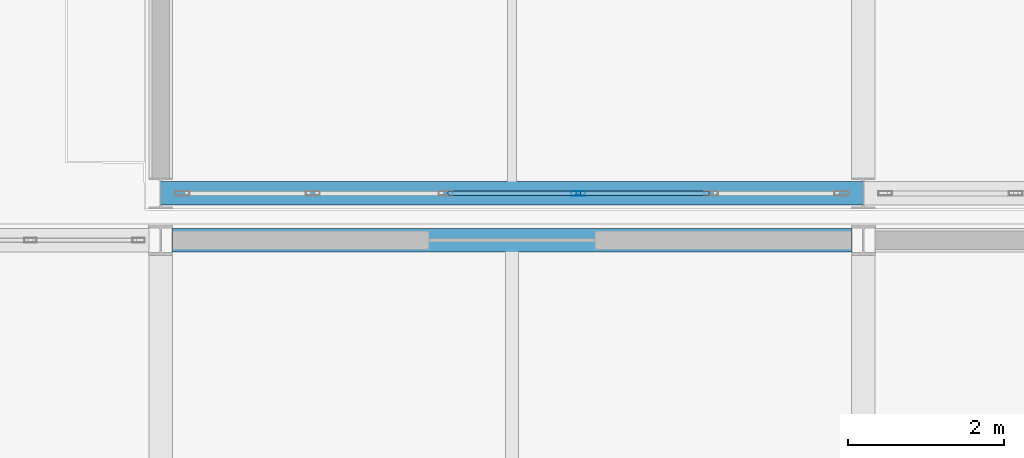
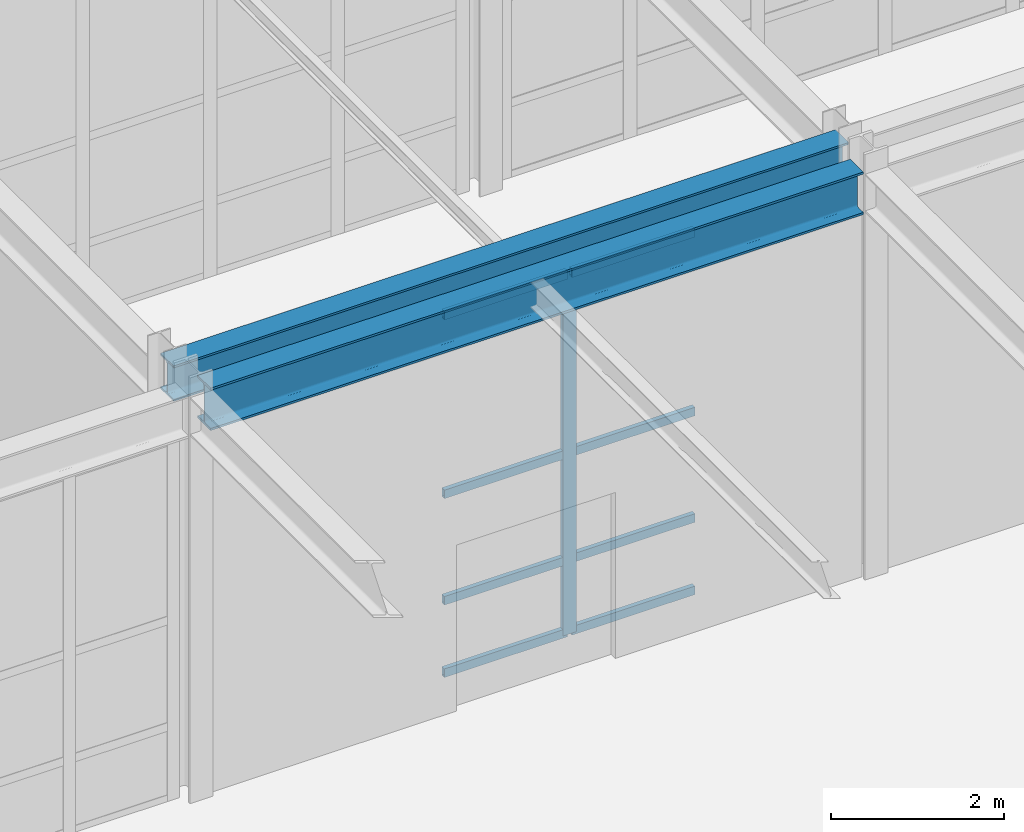
# One storey, part 29 of 146: 9 members, 2 beams, 1 element without a shape of its own.
"""IFC4 building model written with IfcOpenShell, lengths in metres."""

from ifc_helpers import new_model, si_unit, direction, frame, origin, origin_2d, place, context, subcontext, project, spatial, hollow_rectangle, i_section, extrude, material, material_profile, profile_set, type_object, element, aggregate, save


model = new_model("IFC4")

# Units and contexts
model_context = context("Model", 3, precision=1e-05, world=origin(), true_north=direction((0.0, 1.0)))
body_context = subcontext(model_context, "Body", "Model", "MODEL_VIEW")
ifc_project = project(units=[si_unit("LENGTHUNIT", "METRE"), si_unit("AREAUNIT", "SQUARE_METRE"), si_unit("VOLUMEUNIT", "CUBIC_METRE"), si_unit("PLANEANGLEUNIT", "RADIAN"), si_unit("MASSUNIT", "GRAM", prefix="KILO")], contexts=[model_context])

# Site, building, storey
site_placement = place(None, origin())
site = spatial("IfcSite", under=ifc_project, at=site_placement, CompositionType="ELEMENT")
building_placement = place(site_placement, origin())
building = spatial("IfcBuilding", under=site, at=building_placement, Name="Kaldris Quays Convention Centre", CompositionType="ELEMENT")
storey_placement = place(building_placement, origin())
storey = spatial("IfcBuildingStorey", under=building, at=storey_placement, Name="L00", CompositionType="ELEMENT", Elevation=0.0)

# Curtain wall, members
ifc_material_1 = material(Name="Anodized aluminium AW-6060 and triple glazing", Category="aluminium")
curtain_wall_type = type_object("IfcCurtainWallType", Name="UNITISED CURTAIN WALL CW02", PredefinedType="NOTDEFINED", material=ifc_material_1)
curtain_wall_placement = place(storey_placement, origin())
curtain_wall = element("IfcCurtainWall", 1, at=curtain_wall_placement, inside=storey, type_object=curtain_wall_type, Name="L00 Unitised Curtain Wall CW02 78", PredefinedType="NOTDEFINED")
ifc_material_2 = material(Name="Anodized aluminium AW-6060", Category="aluminium")
ifc_material_profile_1 = material_profile(ifc_material_2, hollow_rectangle(XDim=0.06005859375, YDim=0.179931640625, WallThickness=0.0048828125, at=origin_2d()), Name="RHS 180x60x5")
ifc_profile_set_1 = profile_set([ifc_material_profile_1], Name="Anodized aluminium AW-6060")
member_type_1 = type_object("IfcMemberType", Name="CURTAIN MULLION CWM2", PredefinedType="MULLION", material=ifc_profile_set_1)
member_1_placement = place(storey_placement, frame((34.35009765625, 46.60009765625, 0.0), z_axis=(0.0, 0.0, 1.0), x_axis=(0.0, 1.0, 0.0)))
member_1 = element("IfcMember", 2, at=member_1_placement, type_object=member_type_1, Name="CW02 mullion 4", PredefinedType="MULLION", context=body_context, shape_type="SweptSolid", body=[
    extrude(hollow_rectangle(XDim=0.06005859375, YDim=0.179931640625, WallThickness=0.0048828125, at=origin_2d()), origin(), (0.0, 0.0, 1.0), 5.10009765625),
])
ifc_material_profile_2 = material_profile(ifc_material_2, hollow_rectangle(XDim=0.06005859375, YDim=0.1201171875, WallThickness=0.00390625, at=origin_2d()), Name="RHS 120x60x4")
ifc_profile_set_2 = profile_set([ifc_material_profile_2], Name="Anodized aluminium AW-6060")
member_type_2 = type_object("IfcMemberType", Name="CURTAIN TRANSOM CWT1", PredefinedType="USERDEFINED", material=ifc_profile_set_2)
member_2_placement = place(storey_placement, frame((32.679931640625, 46.60009765625, 0.030029296875), z_axis=(1.0, 0.0, 0.0), x_axis=(0.0, 1.0, 0.0)))
member_2 = element("IfcMember", 3, at=member_2_placement, type_object=member_type_2, Name="CW02 transom 3.1", ObjectType="TRANSOM", PredefinedType="USERDEFINED", context=body_context, shape_type="SweptSolid", body=[
    extrude(hollow_rectangle(XDim=0.06005859375, YDim=0.1201171875, WallThickness=0.00390625, at=origin_2d()), origin(), (0.0, 0.0, 1.0), 1.64013671875),
])
member_3_placement = place(storey_placement, frame((32.679931640625, 46.60009765625, 1.050048828125), z_axis=(1.0, 0.0, 0.0), x_axis=(0.0, 1.0, 0.0)))
member_3 = element("IfcMember", 4, at=member_3_placement, type_object=member_type_2, Name="CW02 transom 3.2", ObjectType="TRANSOM", PredefinedType="USERDEFINED", context=body_context, shape_type="SweptSolid", body=[
    extrude(hollow_rectangle(XDim=0.06005859375, YDim=0.1201171875, WallThickness=0.00390625, at=origin_2d()), origin(), (0.0, 0.0, 1.0), 1.64013671875),
])
member_4_placement = place(storey_placement, frame((32.679931640625, 46.60009765625, 2.550048828125), z_axis=(1.0, 0.0, 0.0), x_axis=(0.0, 1.0, 0.0)))
member_4 = element("IfcMember", 5, at=member_4_placement, type_object=member_type_2, Name="CW02 transom 3.3", ObjectType="TRANSOM", PredefinedType="USERDEFINED", context=body_context, shape_type="SweptSolid", body=[
    extrude(hollow_rectangle(XDim=0.06005859375, YDim=0.1201171875, WallThickness=0.00390625, at=origin_2d()), origin(), (0.0, 0.0, 1.0), 1.64013671875),
])
member_5_placement = place(storey_placement, frame((32.679931640625, 46.60009765625, 5.070068359375), z_axis=(1.0, 0.0, 0.0), x_axis=(0.0, 1.0, 0.0)))
member_5 = element("IfcMember", 6, at=member_5_placement, type_object=member_type_2, Name="CW02 transom 3.4", ObjectType="TRANSOM", PredefinedType="USERDEFINED", context=body_context, shape_type="SweptSolid", body=[
    extrude(hollow_rectangle(XDim=0.06005859375, YDim=0.1201171875, WallThickness=0.00390625, at=origin_2d()), origin(), (0.0, 0.0, 1.0), 1.64013671875),
])
member_6_placement = place(storey_placement, frame((34.3798828125, 46.60009765625, 0.030029296875), z_axis=(1.0, 0.0, 0.0), x_axis=(0.0, 1.0, 0.0)))
member_6 = element("IfcMember", 7, at=member_6_placement, type_object=member_type_2, Name="CW02 transom 4.1", ObjectType="TRANSOM", PredefinedType="USERDEFINED", context=body_context, shape_type="SweptSolid", body=[
    extrude(hollow_rectangle(XDim=0.06005859375, YDim=0.1201171875, WallThickness=0.00390625, at=origin_2d()), origin(), (0.0, 0.0, 1.0), 1.64013671875),
])
member_7_placement = place(storey_placement, frame((34.3798828125, 46.60009765625, 1.050048828125), z_axis=(1.0, 0.0, 0.0), x_axis=(0.0, 1.0, 0.0)))
member_7 = element("IfcMember", 8, at=member_7_placement, type_object=member_type_2, Name="CW02 transom 4.2", ObjectType="TRANSOM", PredefinedType="USERDEFINED", context=body_context, shape_type="SweptSolid", body=[
    extrude(hollow_rectangle(XDim=0.06005859375, YDim=0.1201171875, WallThickness=0.00390625, at=origin_2d()), origin(), (0.0, 0.0, 1.0), 1.64013671875),
])
member_8_placement = place(storey_placement, frame((34.3798828125, 46.60009765625, 2.550048828125), z_axis=(1.0, 0.0, 0.0), x_axis=(0.0, 1.0, 0.0)))
member_8 = element("IfcMember", 9, at=member_8_placement, type_object=member_type_2, Name="CW02 transom 4.3", ObjectType="TRANSOM", PredefinedType="USERDEFINED", context=body_context, shape_type="SweptSolid", body=[
    extrude(hollow_rectangle(XDim=0.06005859375, YDim=0.1201171875, WallThickness=0.00390625, at=origin_2d()), origin(), (0.0, 0.0, 1.0), 1.64013671875),
])
member_9_placement = place(storey_placement, frame((34.3798828125, 46.60009765625, 5.070068359375), z_axis=(1.0, 0.0, 0.0), x_axis=(0.0, 1.0, 0.0)))
member_9 = element("IfcMember", 10, at=member_9_placement, type_object=member_type_2, Name="CW02 transom 4.4", ObjectType="TRANSOM", PredefinedType="USERDEFINED", context=body_context, shape_type="SweptSolid", body=[
    extrude(hollow_rectangle(XDim=0.06005859375, YDim=0.1201171875, WallThickness=0.00390625, at=origin_2d()), origin(), (0.0, 0.0, 1.0), 1.64013671875),
])
aggregate(curtain_wall, [member_1, member_2, member_3, member_4, member_5, member_6, member_7, member_8, member_9])

# Beams
ifc_material_3 = material(Name="Steel S355J2", Category="steel")
ifc_material_profile_3 = material_profile(ifc_material_3, i_section(OverallWidth=0.300048828125, OverallDepth=0.60009765625, WebThickness=0.015380859375, FlangeThickness=0.030029296875, FilletRadius=0.027099609375, at=origin_2d()), Name="HEB 600")
ifc_profile_set_3 = profile_set([ifc_material_profile_3], Name="Steel S355J2")
beam_type_1 = type_object("IfcBeamType", Name="STRUCTURAL BEAM BM05", PredefinedType="BEAM", material=ifc_profile_set_3)
beam_1_placement = place(storey_placement, frame((29.14794921875, 46.0, 5.423095703125), z_axis=(1.0, 0.0, 0.0), x_axis=(0.0, 1.0, 0.0)))
element("IfcBeam", 11, at=beam_1_placement, inside=storey, type_object=beam_type_1, Name="L00 Girder BM05 21", PredefinedType="BEAM", context=body_context, shape_type="SweptSolid", body=[
    extrude(i_section(OverallWidth=0.300048828125, OverallDepth=0.60009765625, WebThickness=0.015380859375, FlangeThickness=0.030029296875, FilletRadius=0.027099609375, at=origin_2d()), origin(), (0.0, 0.0, 1.0), 8.7041015625),
])
ifc_material_profile_4 = material_profile(ifc_material_3, i_section(OverallWidth=0.300048828125, OverallDepth=0.5, WebThickness=0.014404296875, FlangeThickness=0.028076171875, FilletRadius=0.027099609375, at=origin_2d()), Name="HEB 500")
ifc_profile_set_4 = profile_set([ifc_material_profile_4], Name="Steel S355J2")
beam_type_2 = type_object("IfcBeamType", Name="STRUCTURAL BEAM BM06", PredefinedType="BEAM", material=ifc_profile_set_4)
beam_2_placement = place(storey_placement, frame((28.99951171875, 46.60009765625, 5.472900390625), z_axis=(1.0, 0.0, 0.0), x_axis=(0.0, 1.0, 0.0)))
element("IfcBeam", 12, at=beam_2_placement, inside=storey, type_object=beam_type_2, Name="L00 Girder BM06 1", PredefinedType="BEAM", context=body_context, shape_type="SweptSolid", body=[
    extrude(i_section(OverallWidth=0.300048828125, OverallDepth=0.5, WebThickness=0.014404296875, FlangeThickness=0.028076171875, FilletRadius=0.027099609375, at=origin_2d()), origin(), (0.0, 0.0, 1.0), 9.0009765625),
])

save(model, "model.ifc")
